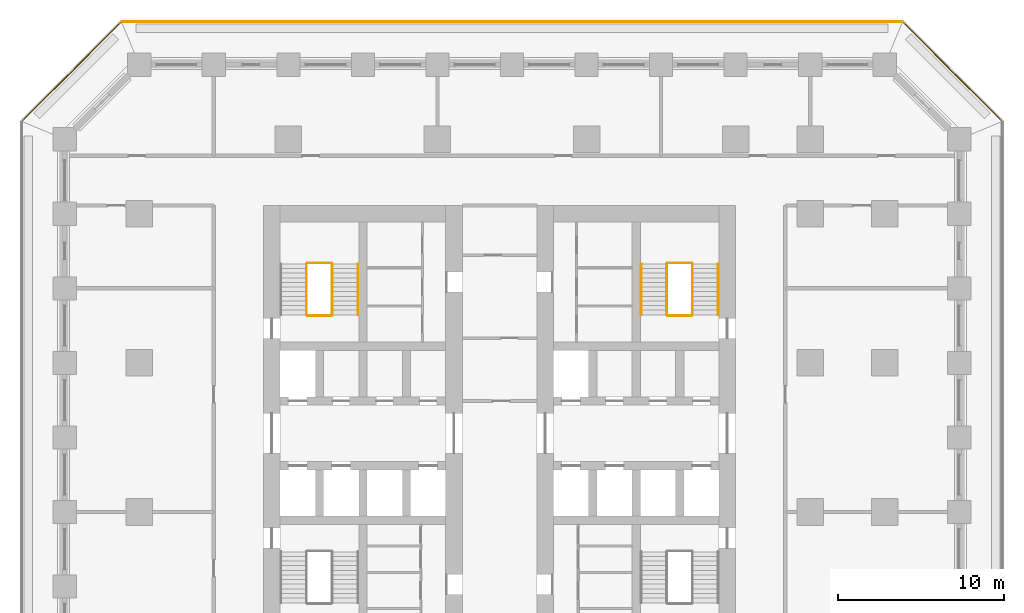
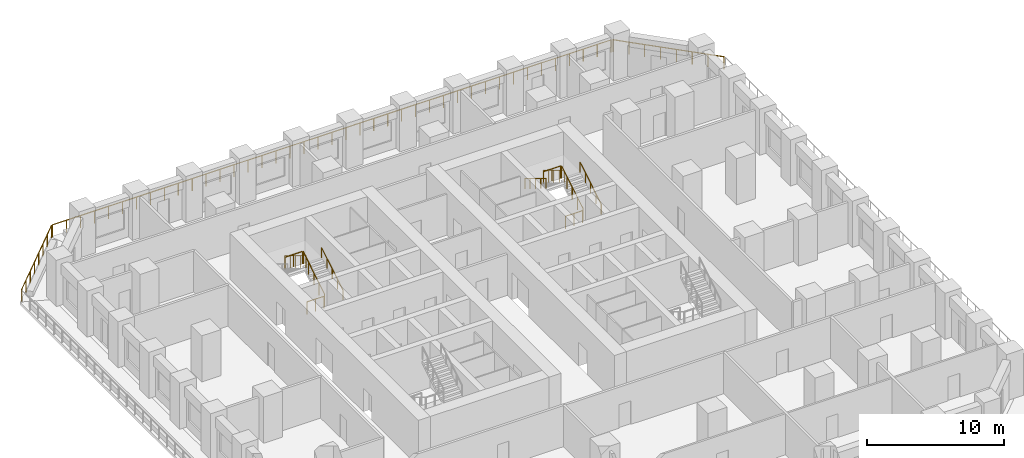
# One storey, part 10 of 11: 14 railings.
"""IFC4 building model written with IfcOpenShell, lengths in metres."""

from ifc_helpers import new_model, si_unit, direction, frame, origin, origin_2d, place, context, subcontext, project, spatial, circle, extrude, material, type_object, element, save


model = new_model("IFC4")

# Units and contexts
model_context = context("Model", 3, precision=1e-05, world=origin(), true_north=direction((0.0, 1.0)))
body_context = subcontext(model_context, "Body", "Model", "MODEL_VIEW")
ifc_project = project(units=[si_unit("LENGTHUNIT", "METRE"), si_unit("AREAUNIT", "SQUARE_METRE"), si_unit("VOLUMEUNIT", "CUBIC_METRE"), si_unit("PLANEANGLEUNIT", "RADIAN"), si_unit("MASSUNIT", "GRAM", prefix="KILO")], contexts=[model_context])

# Site, building, storey
site_placement = place(None, origin())
site = spatial("IfcSite", under=ifc_project, at=site_placement, CompositionType="ELEMENT")
building_placement = place(site_placement, origin())
building = spatial("IfcBuilding", under=site, at=building_placement, Name="Corbel Stack Research Tower", CompositionType="ELEMENT")
storey_placement = place(building_placement, frame((0.0, 0.0, 46.0)))
storey = spatial("IfcBuildingStorey", under=building, at=storey_placement, Name="L10", CompositionType="ELEMENT", Elevation=46.0)

# Railings
ifc_material_1 = material(Name="Steel S355", Category="steel")
railing_type_1 = type_object("IfcRailingType", Name="Stair guard 1100", PredefinedType="GUARDRAIL", material=ifc_material_1)
railing_1_placement = place(storey_placement, frame((-6.35009765625, 11.89990234375, 0.1708984375)))
element("IfcRailing", 1, at=railing_1_placement, inside=storey, type_object=railing_type_1, Name="L10 ST-W2 stair guard 1", PredefinedType="GUARDRAIL", context=body_context, shape_type="SweptSolid", body=[
    extrude(circle(Radius=0.02392578125, at=origin_2d()), frame((0.0, 0.0, 1.076171875), z_axis=(0.0, 0.853666305674, 0.52082035152), x_axis=(-1.0, 0.0, 0.0)), (0.0, 0.0, 1.0), 3.608154296875),
    extrude(circle(Radius=0.02099609375, at=origin_2d()), origin(), (0.0, 0.0, 1.0), 1.052001953125),
    extrude(circle(Radius=0.02099609375, at=origin_2d()), frame((0.0, 0.77001953125, 0.4697265625)), (0.0, 0.0, 1.0), 1.052001953125),
    extrude(circle(Radius=0.02099609375, at=origin_2d()), frame((0.0, 1.5400390625, 0.939453125)), (0.0, 0.0, 1.0), 1.052001953125),
    extrude(circle(Radius=0.02099609375, at=origin_2d()), frame((0.0, 2.31005859375, 1.409423828125)), (0.0, 0.0, 1.0), 1.052001953125),
    extrude(circle(Radius=0.02099609375, at=origin_2d()), frame((0.0, 3.080078125, 1.879150390625)), (0.0, 0.0, 1.0), 1.052001953125),
])
railing_2_placement = place(storey_placement, frame((-6.39990234375, 15.030029296875, 2.050048828125)))
element("IfcRailing", 2, at=railing_2_placement, inside=storey, type_object=railing_type_1, Name="L10 ST-W2 stair guard 2", PredefinedType="GUARDRAIL", context=body_context, shape_type="SweptSolid", body=[
    extrude(circle(Radius=0.02392578125, at=origin_2d()), frame((0.0, 0.0, 1.076171875), z_axis=(-1.0, 0.0, 0.0), x_axis=(0.0, -1.0, 0.0)), (0.0, 0.0, 1.0), 1.4501953125),
    extrude(circle(Radius=0.02099609375, at=origin_2d()), origin(), (0.0, 0.0, 1.0), 1.052001953125),
    extrude(circle(Radius=0.02099609375, at=origin_2d()), frame((-0.72509765625, 0.0, 0.0)), (0.0, 0.0, 1.0), 1.052001953125),
    extrude(circle(Radius=0.02099609375, at=origin_2d()), frame((-1.4501953125, 0.0, 0.0)), (0.0, 0.0, 1.0), 1.052001953125),
])
railing_3_placement = place(storey_placement, frame((-7.89990234375, 14.97998046875, 2.220947265625)))
element("IfcRailing", 3, at=railing_3_placement, inside=storey, type_object=railing_type_1, Name="L10 ST-W2 stair guard 3", PredefinedType="GUARDRAIL", context=body_context, shape_type="SweptSolid", body=[
    extrude(circle(Radius=0.02392578125, at=origin_2d()), frame((0.0, 0.0, 1.076171875), z_axis=(0.0, -0.853666305674, 0.52082035152), x_axis=(1.0, 0.0, 0.0)), (0.0, 0.0, 1.0), 3.608154296875),
    extrude(circle(Radius=0.02099609375, at=origin_2d()), origin(), (0.0, 0.0, 1.0), 1.052001953125),
    extrude(circle(Radius=0.02099609375, at=origin_2d()), frame((0.0, -0.77001953125, 0.4697265625)), (0.0, 0.0, 1.0), 1.052001953125),
    extrude(circle(Radius=0.02099609375, at=origin_2d()), frame((0.0, -1.5400390625, 0.939453125)), (0.0, 0.0, 1.0), 1.052001953125),
    extrude(circle(Radius=0.02099609375, at=origin_2d()), frame((0.0, -2.31005859375, 1.409423828125)), (0.0, 0.0, 1.0), 1.052001953125),
    extrude(circle(Radius=0.02099609375, at=origin_2d()), frame((0.0, -3.080078125, 1.879150390625)), (0.0, 0.0, 1.0), 1.052001953125),
])
railing_4_placement = place(storey_placement, frame((-6.39990234375, 11.85009765625, 0.0)))
element("IfcRailing", 4, at=railing_4_placement, inside=storey, type_object=railing_type_1, Name="L10 ST-W2 stair guard 4", PredefinedType="GUARDRAIL", context=body_context, shape_type="SweptSolid", body=[
    extrude(circle(Radius=0.02392578125, at=origin_2d()), frame((0.0, 0.0, 1.076171875), z_axis=(-1.0, 0.0, 0.0), x_axis=(0.0, -1.0, 0.0)), (0.0, 0.0, 1.0), 1.4501953125),
    extrude(circle(Radius=0.02099609375, at=origin_2d()), origin(), (0.0, 0.0, 1.0), 1.052001953125),
    extrude(circle(Radius=0.02099609375, at=origin_2d()), frame((-0.72509765625, 0.0, 0.0)), (0.0, 0.0, 1.0), 1.052001953125),
    extrude(circle(Radius=0.02099609375, at=origin_2d()), frame((-1.4501953125, 0.0, 0.0)), (0.0, 0.0, 1.0), 1.052001953125),
])
railing_5_placement = place(storey_placement, frame((15.39990234375, 11.89990234375, 0.1708984375)))
element("IfcRailing", 5, at=railing_5_placement, inside=storey, type_object=railing_type_1, Name="L10 ST-E2 stair guard 1", PredefinedType="GUARDRAIL", context=body_context, shape_type="SweptSolid", body=[
    extrude(circle(Radius=0.02392578125, at=origin_2d()), frame((0.0, 0.0, 1.076171875), z_axis=(0.0, 0.853666305674, 0.52082035152), x_axis=(-1.0, 0.0, 0.0)), (0.0, 0.0, 1.0), 3.608154296875),
    extrude(circle(Radius=0.02099609375, at=origin_2d()), origin(), (0.0, 0.0, 1.0), 1.052001953125),
    extrude(circle(Radius=0.02099609375, at=origin_2d()), frame((0.0, 0.77001953125, 0.4697265625)), (0.0, 0.0, 1.0), 1.052001953125),
    extrude(circle(Radius=0.02099609375, at=origin_2d()), frame((0.0, 1.5400390625, 0.939453125)), (0.0, 0.0, 1.0), 1.052001953125),
    extrude(circle(Radius=0.02099609375, at=origin_2d()), frame((0.0, 2.31005859375, 1.409423828125)), (0.0, 0.0, 1.0), 1.052001953125),
    extrude(circle(Radius=0.02099609375, at=origin_2d()), frame((0.0, 3.080078125, 1.879150390625)), (0.0, 0.0, 1.0), 1.052001953125),
])
railing_6_placement = place(storey_placement, frame((15.35009765625, 15.030029296875, 2.050048828125)))
element("IfcRailing", 6, at=railing_6_placement, inside=storey, type_object=railing_type_1, Name="L10 ST-E2 stair guard 2", PredefinedType="GUARDRAIL", context=body_context, shape_type="SweptSolid", body=[
    extrude(circle(Radius=0.02392578125, at=origin_2d()), frame((0.0, 0.0, 1.076171875), z_axis=(-1.0, 0.0, 0.0), x_axis=(0.0, -1.0, 0.0)), (0.0, 0.0, 1.0), 1.4501953125),
    extrude(circle(Radius=0.02099609375, at=origin_2d()), origin(), (0.0, 0.0, 1.0), 1.052001953125),
    extrude(circle(Radius=0.02099609375, at=origin_2d()), frame((-0.72509765625, 0.0, 0.0)), (0.0, 0.0, 1.0), 1.052001953125),
    extrude(circle(Radius=0.02099609375, at=origin_2d()), frame((-1.4501953125, 0.0, 0.0)), (0.0, 0.0, 1.0), 1.052001953125),
])
railing_7_placement = place(storey_placement, frame((13.85009765625, 14.97998046875, 2.220947265625)))
element("IfcRailing", 7, at=railing_7_placement, inside=storey, type_object=railing_type_1, Name="L10 ST-E2 stair guard 3", PredefinedType="GUARDRAIL", context=body_context, shape_type="SweptSolid", body=[
    extrude(circle(Radius=0.02392578125, at=origin_2d()), frame((0.0, 0.0, 1.076171875), z_axis=(0.0, -0.853666305674, 0.52082035152), x_axis=(1.0, 0.0, 0.0)), (0.0, 0.0, 1.0), 3.608154296875),
    extrude(circle(Radius=0.02099609375, at=origin_2d()), origin(), (0.0, 0.0, 1.0), 1.052001953125),
    extrude(circle(Radius=0.02099609375, at=origin_2d()), frame((0.0, -0.77001953125, 0.4697265625)), (0.0, 0.0, 1.0), 1.052001953125),
    extrude(circle(Radius=0.02099609375, at=origin_2d()), frame((0.0, -1.5400390625, 0.939453125)), (0.0, 0.0, 1.0), 1.052001953125),
    extrude(circle(Radius=0.02099609375, at=origin_2d()), frame((0.0, -2.31005859375, 1.409423828125)), (0.0, 0.0, 1.0), 1.052001953125),
    extrude(circle(Radius=0.02099609375, at=origin_2d()), frame((0.0, -3.080078125, 1.879150390625)), (0.0, 0.0, 1.0), 1.052001953125),
])
railing_8_placement = place(storey_placement, frame((15.35009765625, 11.85009765625, 0.0)))
element("IfcRailing", 8, at=railing_8_placement, inside=storey, type_object=railing_type_1, Name="L10 ST-E2 stair guard 4", PredefinedType="GUARDRAIL", context=body_context, shape_type="SweptSolid", body=[
    extrude(circle(Radius=0.02392578125, at=origin_2d()), frame((0.0, 0.0, 1.076171875), z_axis=(-1.0, 0.0, 0.0), x_axis=(0.0, -1.0, 0.0)), (0.0, 0.0, 1.0), 1.4501953125),
    extrude(circle(Radius=0.02099609375, at=origin_2d()), origin(), (0.0, 0.0, 1.0), 1.052001953125),
    extrude(circle(Radius=0.02099609375, at=origin_2d()), frame((-0.72509765625, 0.0, 0.0)), (0.0, 0.0, 1.0), 1.052001953125),
    extrude(circle(Radius=0.02099609375, at=origin_2d()), frame((-1.4501953125, 0.0, 0.0)), (0.0, 0.0, 1.0), 1.052001953125),
])
ifc_material_2 = material(Name="Steel S355", Category="steel")
railing_type_2 = type_object("IfcRailingType", Name="Stair handrail 900", PredefinedType="HANDRAIL", material=ifc_material_2)
for number, where, name in (
    (9, (-4.800048828125, 11.89990234375, 0.1708984375), "L10 ST-W2 stair handrail 1"),
    (10, (16.949951171875, 11.89990234375, 0.1708984375), "L10 ST-E2 stair handrail 1"),
):
    element("IfcRailing", number, at=place(storey_placement, frame(where)), inside=storey, type_object=railing_type_2, Name=name, PredefinedType="HANDRAIL", context=body_context, shape_type="SweptSolid", body=[
        extrude(circle(Radius=0.02392578125, at=origin_2d()), frame((0.0, 0.0, 0.8759765625), z_axis=(0.0, 0.853666305674, 0.52082035152), x_axis=(-1.0, 0.0, 0.0)), (0.0, 0.0, 1.0), 3.608154296875),
        extrude(circle(Radius=0.02099609375, at=origin_2d()), origin(), (0.0, 0.0, 1.0), 0.851806640625),
        extrude(circle(Radius=0.02099609375, at=origin_2d()), frame((0.0, 0.77001953125, 0.4697265625)), (0.0, 0.0, 1.0), 0.851806640625),
        extrude(circle(Radius=0.02099609375, at=origin_2d()), frame((0.0, 1.5400390625, 0.939453125)), (0.0, 0.0, 1.0), 0.851806640625),
        extrude(circle(Radius=0.02099609375, at=origin_2d()), frame((0.0, 2.31005859375, 1.409423828125)), (0.0, 0.0, 1.0), 0.851806640625),
        extrude(circle(Radius=0.02099609375, at=origin_2d()), frame((0.0, 3.080078125, 1.879150390625)), (0.0, 0.0, 1.0), 0.851806640625),
    ])
railing_9_placement = place(storey_placement, frame((12.300048828125, 14.97998046875, 2.220947265625)))
element("IfcRailing", 11, at=railing_9_placement, inside=storey, type_object=railing_type_2, Name="L10 ST-E2 stair handrail 2", PredefinedType="HANDRAIL", context=body_context, shape_type="SweptSolid", body=[
    extrude(circle(Radius=0.02392578125, at=origin_2d()), frame((0.0, 0.0, 0.8759765625), z_axis=(0.0, -0.853666305674, 0.52082035152), x_axis=(1.0, 0.0, 0.0)), (0.0, 0.0, 1.0), 3.608154296875),
    extrude(circle(Radius=0.02099609375, at=origin_2d()), origin(), (0.0, 0.0, 1.0), 0.851806640625),
    extrude(circle(Radius=0.02099609375, at=origin_2d()), frame((0.0, -0.77001953125, 0.4697265625)), (0.0, 0.0, 1.0), 0.851806640625),
    extrude(circle(Radius=0.02099609375, at=origin_2d()), frame((0.0, -1.5400390625, 0.939453125)), (0.0, 0.0, 1.0), 0.851806640625),
    extrude(circle(Radius=0.02099609375, at=origin_2d()), frame((0.0, -2.31005859375, 1.409423828125)), (0.0, 0.0, 1.0), 0.851806640625),
    extrude(circle(Radius=0.02099609375, at=origin_2d()), frame((0.0, -3.080078125, 1.879150390625)), (0.0, 0.0, 1.0), 0.851806640625),
])
ifc_material_3 = material(Name="Powder-coated steel guard", Category="steel")
railing_type_3 = type_object("IfcRailingType", Name="Steel and glass guard 1100", PredefinedType="GUARDRAIL", material=ifc_material_3)
railing_10_placement = place(storey_placement, frame((34.04931640625, 23.627685546875, 0.0)))
element("IfcRailing", 12, at=railing_10_placement, inside=storey, type_object=railing_type_3, Name="Loggia guard L10 NE", PredefinedType="GUARDRAIL", context=body_context, shape_type="SweptSolid", body=[
    extrude(circle(Radius=0.02392578125, at=origin_2d()), frame((0.0, 0.0, 1.076171875), z_axis=(-0.707106781187, 0.707106781187, 0.0), x_axis=(-0.707106781187, -0.707106781187, 0.0)), (0.0, 0.0, 1.0), 8.37451171875),
    extrude(circle(Radius=0.02099609375, at=origin_2d()), origin(), (0.0, 0.0, 1.0), 1.052001953125),
    extrude(circle(Radius=0.02099609375, at=origin_2d()), frame((-0.845947265625, 0.845947265625, 0.0)), (0.0, 0.0, 1.0), 1.052001953125),
    extrude(circle(Radius=0.02099609375, at=origin_2d()), frame((-1.69189453125, 1.69189453125, 0.0)), (0.0, 0.0, 1.0), 1.052001953125),
    extrude(circle(Radius=0.02099609375, at=origin_2d()), frame((-2.537841796875, 2.537841796875, 0.0)), (0.0, 0.0, 1.0), 1.052001953125),
    extrude(circle(Radius=0.02099609375, at=origin_2d()), frame((-3.3837890625, 3.3837890625, 0.0)), (0.0, 0.0, 1.0), 1.052001953125),
    extrude(circle(Radius=0.02099609375, at=origin_2d()), frame((-4.229736328125, 4.229736328125, 0.0)), (0.0, 0.0, 1.0), 1.052001953125),
    extrude(circle(Radius=0.02099609375, at=origin_2d()), frame((-5.07568359375, 5.07568359375, 0.0)), (0.0, 0.0, 1.0), 1.052001953125),
    extrude(circle(Radius=0.02099609375, at=origin_2d()), frame((-5.921630859375, 5.921630859375, 0.0)), (0.0, 0.0, 1.0), 1.052001953125),
])
railing_11_placement = place(storey_placement, frame((28.00537109375, 29.60009765625, 0.0)))
element("IfcRailing", 13, at=railing_11_placement, inside=storey, type_object=railing_type_3, Name="Loggia guard L10 N", PredefinedType="GUARDRAIL", context=body_context, shape_type="SweptSolid", body=[
    extrude(circle(Radius=0.02392578125, at=origin_2d()), frame((0.0, 0.0, 1.076171875), z_axis=(-1.0, 0.0, 0.0), x_axis=(0.0, -1.0, 0.0)), (0.0, 0.0, 1.0), 47.0107421875),
    extrude(circle(Radius=0.02099609375, at=origin_2d()), origin(), (0.0, 0.0, 1.0), 1.052001953125),
    extrude(circle(Radius=0.02099609375, at=origin_2d()), frame((-1.17529296875, 0.0, 0.0)), (0.0, 0.0, 1.0), 1.052001953125),
    extrude(circle(Radius=0.02099609375, at=origin_2d()), frame((-2.3505859375, 0.0, 0.0)), (0.0, 0.0, 1.0), 1.052001953125),
    extrude(circle(Radius=0.02099609375, at=origin_2d()), frame((-3.52587890625, 0.0, 0.0)), (0.0, 0.0, 1.0), 1.052001953125),
    extrude(circle(Radius=0.02099609375, at=origin_2d()), frame((-4.701171875, 0.0, 0.0)), (0.0, 0.0, 1.0), 1.052001953125),
    extrude(circle(Radius=0.02099609375, at=origin_2d()), frame((-5.87646484375, 0.0, 0.0)), (0.0, 0.0, 1.0), 1.052001953125),
    extrude(circle(Radius=0.02099609375, at=origin_2d()), frame((-7.051513671875, 0.0, 0.0)), (0.0, 0.0, 1.0), 1.052001953125),
    extrude(circle(Radius=0.02099609375, at=origin_2d()), frame((-8.226806640625, 0.0, 0.0)), (0.0, 0.0, 1.0), 1.052001953125),
    extrude(circle(Radius=0.02099609375, at=origin_2d()), frame((-9.402099609375, 0.0, 0.0)), (0.0, 0.0, 1.0), 1.052001953125),
    extrude(circle(Radius=0.02099609375, at=origin_2d()), frame((-10.577392578125, 0.0, 0.0)), (0.0, 0.0, 1.0), 1.052001953125),
    extrude(circle(Radius=0.02099609375, at=origin_2d()), frame((-11.752685546875, 0.0, 0.0)), (0.0, 0.0, 1.0), 1.052001953125),
    extrude(circle(Radius=0.02099609375, at=origin_2d()), frame((-12.927978515625, 0.0, 0.0)), (0.0, 0.0, 1.0), 1.052001953125),
    extrude(circle(Radius=0.02099609375, at=origin_2d()), frame((-14.103271484375, 0.0, 0.0)), (0.0, 0.0, 1.0), 1.052001953125),
    extrude(circle(Radius=0.02099609375, at=origin_2d()), frame((-15.278564453125, 0.0, 0.0)), (0.0, 0.0, 1.0), 1.052001953125),
    extrude(circle(Radius=0.02099609375, at=origin_2d()), frame((-16.453857421875, 0.0, 0.0)), (0.0, 0.0, 1.0), 1.052001953125),
    extrude(circle(Radius=0.02099609375, at=origin_2d()), frame((-17.62890625, 0.0, 0.0)), (0.0, 0.0, 1.0), 1.052001953125),
    extrude(circle(Radius=0.02099609375, at=origin_2d()), frame((-18.80419921875, 0.0, 0.0)), (0.0, 0.0, 1.0), 1.052001953125),
    extrude(circle(Radius=0.02099609375, at=origin_2d()), frame((-19.9794921875, 0.0, 0.0)), (0.0, 0.0, 1.0), 1.052001953125),
    extrude(circle(Radius=0.02099609375, at=origin_2d()), frame((-21.15478515625, 0.0, 0.0)), (0.0, 0.0, 1.0), 1.052001953125),
    extrude(circle(Radius=0.02099609375, at=origin_2d()), frame((-22.330078125, 0.0, 0.0)), (0.0, 0.0, 1.0), 1.052001953125),
    extrude(circle(Radius=0.02099609375, at=origin_2d()), frame((-23.50537109375, 0.0, 0.0)), (0.0, 0.0, 1.0), 1.052001953125),
    extrude(circle(Radius=0.02099609375, at=origin_2d()), frame((-24.6806640625, 0.0, 0.0)), (0.0, 0.0, 1.0), 1.052001953125),
    extrude(circle(Radius=0.02099609375, at=origin_2d()), frame((-25.85595703125, 0.0, 0.0)), (0.0, 0.0, 1.0), 1.052001953125),
    extrude(circle(Radius=0.02099609375, at=origin_2d()), frame((-27.03125, 0.0, 0.0)), (0.0, 0.0, 1.0), 1.052001953125),
    extrude(circle(Radius=0.02099609375, at=origin_2d()), frame((-28.20654296875, 0.0, 0.0)), (0.0, 0.0, 1.0), 1.052001953125),
    extrude(circle(Radius=0.02099609375, at=origin_2d()), frame((-29.3818359375, 0.0, 0.0)), (0.0, 0.0, 1.0), 1.052001953125),
    extrude(circle(Radius=0.02099609375, at=origin_2d()), frame((-30.556884765625, 0.0, 0.0)), (0.0, 0.0, 1.0), 1.052001953125),
    extrude(circle(Radius=0.02099609375, at=origin_2d()), frame((-31.732177734375, 0.0, 0.0)), (0.0, 0.0, 1.0), 1.052001953125),
    extrude(circle(Radius=0.02099609375, at=origin_2d()), frame((-32.907470703125, 0.0, 0.0)), (0.0, 0.0, 1.0), 1.052001953125),
    extrude(circle(Radius=0.02099609375, at=origin_2d()), frame((-34.082763671875, 0.0, 0.0)), (0.0, 0.0, 1.0), 1.052001953125),
    extrude(circle(Radius=0.02099609375, at=origin_2d()), frame((-35.258056640625, 0.0, 0.0)), (0.0, 0.0, 1.0), 1.052001953125),
    extrude(circle(Radius=0.02099609375, at=origin_2d()), frame((-36.433349609375, 0.0, 0.0)), (0.0, 0.0, 1.0), 1.052001953125),
    extrude(circle(Radius=0.02099609375, at=origin_2d()), frame((-37.608642578125, 0.0, 0.0)), (0.0, 0.0, 1.0), 1.052001953125),
    extrude(circle(Radius=0.02099609375, at=origin_2d()), frame((-38.783935546875, 0.0, 0.0)), (0.0, 0.0, 1.0), 1.052001953125),
    extrude(circle(Radius=0.02099609375, at=origin_2d()), frame((-39.959228515625, 0.0, 0.0)), (0.0, 0.0, 1.0), 1.052001953125),
    extrude(circle(Radius=0.02099609375, at=origin_2d()), frame((-41.13427734375, 0.0, 0.0)), (0.0, 0.0, 1.0), 1.052001953125),
    extrude(circle(Radius=0.02099609375, at=origin_2d()), frame((-42.3095703125, 0.0, 0.0)), (0.0, 0.0, 1.0), 1.052001953125),
    extrude(circle(Radius=0.02099609375, at=origin_2d()), frame((-43.48486328125, 0.0, 0.0)), (0.0, 0.0, 1.0), 1.052001953125),
    extrude(circle(Radius=0.02099609375, at=origin_2d()), frame((-44.66015625, 0.0, 0.0)), (0.0, 0.0, 1.0), 1.052001953125),
    extrude(circle(Radius=0.02099609375, at=origin_2d()), frame((-45.83544921875, 0.0, 0.0)), (0.0, 0.0, 1.0), 1.052001953125),
    extrude(circle(Radius=0.02099609375, at=origin_2d()), frame((-47.0107421875, 0.0, 0.0)), (0.0, 0.0, 1.0), 1.052001953125),
])
railing_12_placement = place(storey_placement, frame((-19.127685546875, 29.54931640625, 0.0)))
element("IfcRailing", 14, at=railing_12_placement, inside=storey, type_object=railing_type_3, Name="Loggia guard L10 NW", PredefinedType="GUARDRAIL", context=body_context, shape_type="SweptSolid", body=[
    extrude(circle(Radius=0.02392578125, at=origin_2d()), frame((0.0, 0.0, 1.076171875), z_axis=(-0.707106781187, -0.707106781187, 0.0), x_axis=(0.707106781187, -0.707106781187, 0.0)), (0.0, 0.0, 1.0), 8.37451171875),
    extrude(circle(Radius=0.02099609375, at=origin_2d()), origin(), (0.0, 0.0, 1.0), 1.052001953125),
    extrude(circle(Radius=0.02099609375, at=origin_2d()), frame((-0.845947265625, -0.845947265625, 0.0)), (0.0, 0.0, 1.0), 1.052001953125),
    extrude(circle(Radius=0.02099609375, at=origin_2d()), frame((-1.69189453125, -1.69189453125, 0.0)), (0.0, 0.0, 1.0), 1.052001953125),
    extrude(circle(Radius=0.02099609375, at=origin_2d()), frame((-2.537841796875, -2.537841796875, 0.0)), (0.0, 0.0, 1.0), 1.052001953125),
    extrude(circle(Radius=0.02099609375, at=origin_2d()), frame((-3.3837890625, -3.3837890625, 0.0)), (0.0, 0.0, 1.0), 1.052001953125),
    extrude(circle(Radius=0.02099609375, at=origin_2d()), frame((-4.229736328125, -4.229736328125, 0.0)), (0.0, 0.0, 1.0), 1.052001953125),
    extrude(circle(Radius=0.02099609375, at=origin_2d()), frame((-5.07568359375, -5.07568359375, 0.0)), (0.0, 0.0, 1.0), 1.052001953125),
    extrude(circle(Radius=0.02099609375, at=origin_2d()), frame((-5.921630859375, -5.921630859375, 0.0)), (0.0, 0.0, 1.0), 1.052001953125),
])

save(model, "model.ifc")
